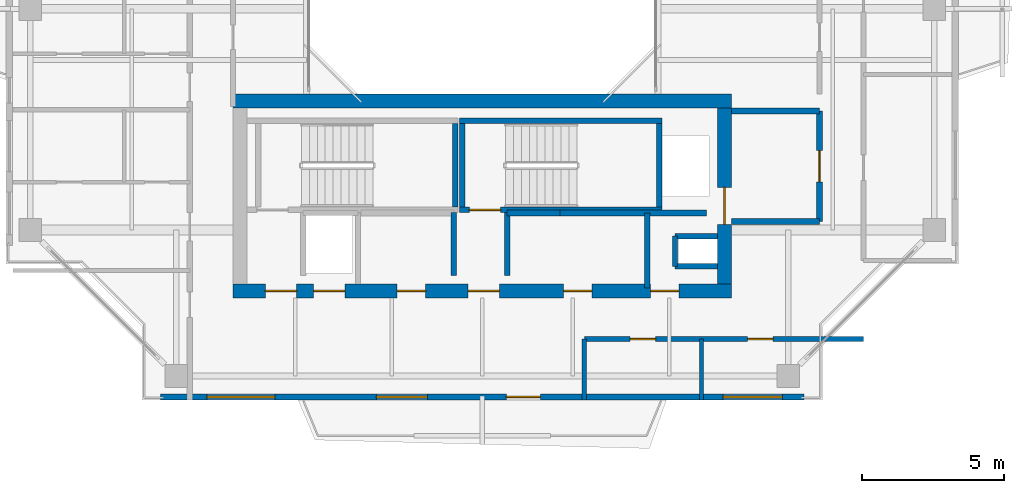
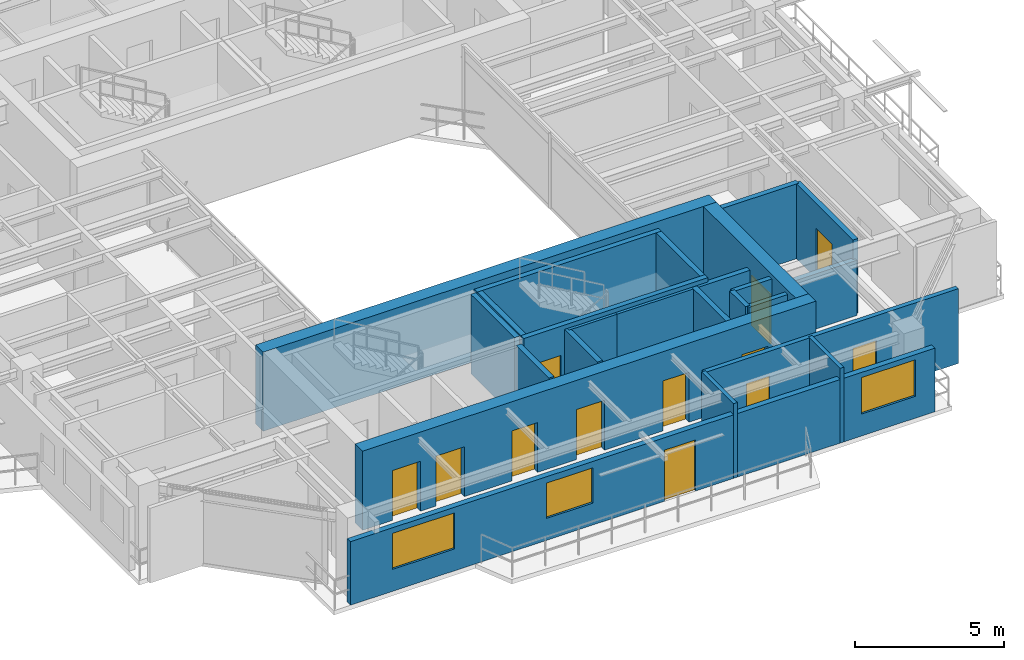
# One storey, part 10 of 16: 23 walls, 12 doors, 3 windows, 15 openings.
"""IFC4 building model written with IfcOpenShell, lengths in metres."""

from ifc_helpers import new_model, si_unit, direction, frame, frame_2d, origin, place, context, subcontext, project, spatial, rectangle, extrude, source, transform, mapped, material, layer, layer_set, type_object, element, fill, save


model = new_model("IFC4")

# Units and contexts
model_context = context("Model", 3, precision=1e-05, world=origin(), true_north=direction((0.0, 1.0)))
body_context = subcontext(model_context, "Body", "Model", "MODEL_VIEW")
ifc_project = project(units=[si_unit("LENGTHUNIT", "METRE"), si_unit("AREAUNIT", "SQUARE_METRE"), si_unit("VOLUMEUNIT", "CUBIC_METRE"), si_unit("PLANEANGLEUNIT", "RADIAN"), si_unit("MASSUNIT", "GRAM", prefix="KILO"), si_unit("THERMODYNAMICTEMPERATUREUNIT", "KELVIN"), si_unit("POWERUNIT", "WATT")], contexts=[model_context])

# Site, building, storey
site_placement = place(None, origin())
site = spatial("IfcSite", under=ifc_project, at=site_placement, CompositionType="ELEMENT")
building_placement = place(site_placement, origin())
building = spatial("IfcBuilding", under=site, at=building_placement, Name="Qiaomeng Ring Towers", CompositionType="ELEMENT")
storey_placement = place(building_placement, frame((0.0, 0.0, 216.5)))
storey = spatial("IfcBuildingStorey", under=building, at=storey_placement, Name="L63", CompositionType="ELEMENT", Elevation=216.5)

# Wall, openings, windows, door
ifc_material_1 = material(Name="Precast concrete C40", Category="concrete")
ifc_layer_1 = layer(ifc_material_1, 0.219970703125, Name="Precast concrete C40")
ifc_layer_set_1 = layer_set([ifc_layer_1], Name="Precast concrete C40")
wall_type_1 = type_object("IfcWallType", Name="ARC-WL-EW2", PredefinedType="STANDARD", material=ifc_layer_set_1)
wall_1_placement = place(storey_placement, frame((7.64990234375, 6.31005859375, 0.0), z_axis=(0.0, 0.0, 1.0), x_axis=(1.0, 0.0, 0.0)))
wall_1 = element("IfcWall", 1, at=wall_1_placement, inside=storey, type_object=wall_type_1, Name="L63 Tower 1 S Exterior Wall", PredefinedType="STANDARD", context=body_context, shape_type="SweptSolid", body=[
    extrude(rectangle(XDim=22.7001953125, YDim=0.219970703125, at=frame_2d((11.35009765625, 0.0))), origin(), (0.0, 0.0, 1.0), 2.610107421875),
])
opening_1_placement = place(wall_1_placement, frame((12.199951171875, 0.0, 0.0)))
opening_1 = element("IfcOpeningElement", 2, at=opening_1_placement, cuts=wall_1, Name="Opening BD1", PredefinedType="OPENING", context=body_context, shape_type="SweptSolid", body=[
    extrude(rectangle(XDim=1.199951171875, YDim=2.10009765625, at=frame_2d((0.60009765625, 1.050048828125))), frame((0.0, 0.119873046875, 0.0), z_axis=(0.0, -1.0, 0.0), x_axis=(1.0, 0.0, 0.0)), (0.0, 0.0, 1.0), 0.239990234375),
])
opening_2_placement = place(wall_1_placement, frame((1.636962890625, 0.0, 0.89990234375)))
opening_2 = element("IfcOpeningElement", 3, at=opening_2_placement, cuts=wall_1, Name="Opening WN6", PredefinedType="OPENING", context=body_context, shape_type="SweptSolid", body=[
    extrude(rectangle(XDim=2.39990234375, YDim=1.47998046875, at=frame_2d((1.199951171875, 0.739990234375))), frame((0.0, 0.119873046875, 0.0), z_axis=(0.0, -1.0, 0.0), x_axis=(1.0, 0.0, 0.0)), (0.0, 0.0, 1.0), 0.239990234375),
])
opening_3_placement = place(wall_1_placement, frame((7.612060546875, 0.0, 0.89990234375)))
opening_3 = element("IfcOpeningElement", 4, at=opening_3_placement, cuts=wall_1, Name="Opening WN1", PredefinedType="OPENING", context=body_context, shape_type="SweptSolid", body=[
    extrude(rectangle(XDim=1.800048828125, YDim=1.449951171875, at=frame_2d((0.89990234375, 0.72509765625))), frame((0.0, 0.119873046875, 0.0), z_axis=(0.0, -1.0, 0.0), x_axis=(1.0, 0.0, 0.0)), (0.0, 0.0, 1.0), 0.239990234375),
])
opening_4_placement = place(wall_1_placement, frame((19.83740234375, 0.0, 0.89990234375)))
opening_4 = element("IfcOpeningElement", 5, at=opening_4_placement, cuts=wall_1, Name="Opening WN4", PredefinedType="OPENING", context=body_context, shape_type="SweptSolid", body=[
    extrude(rectangle(XDim=2.10009765625, YDim=1.5, at=frame_2d((1.050048828125, 0.75))), frame((0.0, 0.119873046875, 0.0), z_axis=(0.0, -1.0, 0.0), x_axis=(1.0, 0.0, 0.0)), (0.0, 0.0, 1.0), 0.239990234375),
])
ifc_material_2 = material(Name="Low-E dark-grey laminated double glazing", Category="glass")
window_type_1 = type_object("IfcWindowType", Name="ARC-WN-4", PartitioningType="TRIPLE_PANEL_VERTICAL", PredefinedType="WINDOW", material=ifc_material_2)
shared_shape_1 = source(origin(), body_context, "Body", "SweptSolid", [
    extrude(rectangle(XDim=2.10009765625, YDim=1.5, at=frame_2d((1.050048828125, 0.75))), frame((0.0, 0.030029296875, 0.0), z_axis=(0.0, -1.0, 0.0), x_axis=(1.0, 0.0, 0.0)), (0.0, 0.0, 1.0), 0.06005859375),
])
window_1_placement = place(opening_4_placement, origin())
window_1 = element("IfcWindow", 6, at=window_1_placement, inside=storey, type_object=window_type_1, Name="L63 Exterior Window WN4", OverallHeight=1.5, OverallWidth=2.10009765625, PartitioningType="TRIPLE_PANEL_VERTICAL", PredefinedType="WINDOW", context=body_context, shape_type="MappedRepresentation", body=[
    mapped(shared_shape_1, transform((0.0, 0.0, 0.0), x_axis=(1.0, 0.0, 0.0), y_axis=(0.0, 1.0, 0.0), z_axis=(0.0, 0.0, 1.0), scale=1.0)),
])
fill(opening_4, window_1)
window_type_2 = type_object("IfcWindowType", Name="ARC-WN-1", PartitioningType="DOUBLE_PANEL_VERTICAL", PredefinedType="WINDOW", material=ifc_material_2)
shared_shape_2 = source(origin(), body_context, "Body", "SweptSolid", [
    extrude(rectangle(XDim=1.800048828125, YDim=1.449951171875, at=frame_2d((0.89990234375, 0.72509765625))), frame((0.0, 0.030029296875, 0.0), z_axis=(0.0, -1.0, 0.0), x_axis=(1.0, 0.0, 0.0)), (0.0, 0.0, 1.0), 0.06005859375),
])
window_2_placement = place(opening_3_placement, origin())
window_2 = element("IfcWindow", 7, at=window_2_placement, inside=storey, type_object=window_type_2, Name="L63 Exterior Window WN1", OverallHeight=1.449951171875, OverallWidth=1.800048828125, PartitioningType="DOUBLE_PANEL_VERTICAL", PredefinedType="WINDOW", context=body_context, shape_type="MappedRepresentation", body=[
    mapped(shared_shape_2, transform((0.0, 0.0, 0.0), x_axis=(1.0, 0.0, 0.0), y_axis=(0.0, 1.0, 0.0), z_axis=(0.0, 0.0, 1.0), scale=1.0)),
])
fill(opening_3, window_2)
window_type_3 = type_object("IfcWindowType", Name="ARC-WN-6", PartitioningType="TRIPLE_PANEL_VERTICAL", PredefinedType="WINDOW", material=ifc_material_2)
shared_shape_3 = source(origin(), body_context, "Body", "SweptSolid", [
    extrude(rectangle(XDim=2.39990234375, YDim=1.47998046875, at=frame_2d((1.199951171875, 0.739990234375))), frame((0.0, 0.030029296875, 0.0), z_axis=(0.0, -1.0, 0.0), x_axis=(1.0, 0.0, 0.0)), (0.0, 0.0, 1.0), 0.06005859375),
])
window_3_placement = place(opening_2_placement, origin())
window_3 = element("IfcWindow", 8, at=window_3_placement, inside=storey, type_object=window_type_3, Name="L63 Exterior Window WN6", OverallHeight=1.47998046875, OverallWidth=2.39990234375, PartitioningType="TRIPLE_PANEL_VERTICAL", PredefinedType="WINDOW", context=body_context, shape_type="MappedRepresentation", body=[
    mapped(shared_shape_3, transform((0.0, 0.0, 0.0), x_axis=(1.0, 0.0, 0.0), y_axis=(0.0, 1.0, 0.0), z_axis=(0.0, 0.0, 1.0), scale=1.0)),
])
fill(opening_2, window_3)
door_type_1 = type_object("IfcDoorType", Name="ARC-DR-BD1", OperationType="NOTDEFINED", PredefinedType="DOOR", material=ifc_material_2)
shared_shape_4 = source(origin(), body_context, "Body", "SweptSolid", [
    extrude(rectangle(XDim=1.199951171875, YDim=2.10009765625, at=frame_2d((0.60009765625, 1.050048828125))), frame((0.0, 0.02490234375, 0.0), z_axis=(0.0, -1.0, 0.0), x_axis=(1.0, 0.0, 0.0)), (0.0, 0.0, 1.0), 0.050048828125),
])
door_1_placement = place(opening_1_placement, frame((1.199951171875, 0.0, 0.0), z_axis=(0.0, 0.0, 1.0), x_axis=(-1.0, 0.0, 0.0)))
door_1 = element("IfcDoor", 9, at=door_1_placement, inside=storey, type_object=door_type_1, Name="L63 S Balcony Glazed Door", OperationType="SINGLE_SWING_LEFT", OverallHeight=2.10009765625, OverallWidth=1.199951171875, PredefinedType="DOOR", context=body_context, shape_type="MappedRepresentation", body=[
    mapped(shared_shape_4, transform((0.0, 0.0, 0.0), x_axis=(1.0, 0.0, 0.0), y_axis=(0.0, 1.0, 0.0), z_axis=(0.0, 0.0, 1.0), scale=1.0)),
])
fill(opening_1, door_1)

# Walls
ifc_material_3 = material(Name="Autoclaved aerated concrete block", Category="concrete")
ifc_layer_2 = layer(ifc_material_3, 0.199951171875, Name="Autoclaved aerated concrete block")
ifc_layer_set_2 = layer_set([ifc_layer_2], Name="Autoclaved aerated concrete block")
wall_type_2 = type_object("IfcWallType", Name="ARC-WL-PW1", PredefinedType="PARTITIONING", material=ifc_layer_set_2)
wall_2_placement = place(storey_placement, frame((27.800048828125, 16.39990234375, 0.0), z_axis=(0.0, 0.0, 1.0), x_axis=(1.0, 0.0, 0.0)))
element("IfcWall", 10, at=wall_2_placement, inside=storey, type_object=wall_type_2, Name="L63 Interior Wall PW1", PredefinedType="PARTITIONING", context=body_context, shape_type="SweptSolid", body=[
    extrude(rectangle(XDim=3.099853515625, YDim=0.199951171875, at=frame_2d((1.5498046875, 0.0))), origin(), (0.0, 0.0, 1.0), 3.070068359375),
])
wall_3_placement = place(storey_placement, frame((27.800048828125, 12.5, 0.0), z_axis=(0.0, 0.0, 1.0), x_axis=(1.0, 0.0, 0.0)))
element("IfcWall", 11, at=wall_3_placement, inside=storey, type_object=wall_type_2, Name="L63 Interior Wall PW1", PredefinedType="PARTITIONING", context=body_context, shape_type="SweptSolid", body=[
    extrude(rectangle(XDim=3.099853515625, YDim=0.199951171875, at=frame_2d((1.5498046875, 0.0))), origin(), (0.0, 0.0, 1.0), 2.264892578125),
])

# Wall, opening, door
wall_4_placement = place(storey_placement, frame((30.89990234375, 12.5, 0.0), z_axis=(0.0, 0.0, 1.0), x_axis=(0.0, 1.0, 0.0)))
wall_4 = element("IfcWall", 12, at=wall_4_placement, inside=storey, type_object=wall_type_2, Name="L63 Interior Wall PW1", PredefinedType="PARTITIONING", context=body_context, shape_type="SweptSolid", body=[
    extrude(rectangle(XDim=3.89990234375, YDim=0.199951171875, at=frame_2d((1.949951171875, 0.0))), origin(), (0.0, 0.0, 1.0), 3.070068359375),
])
opening_5_placement = place(wall_4_placement, frame((1.39990234375, 0.0, 0.0)))
opening_5 = element("IfcOpeningElement", 13, at=opening_5_placement, cuts=wall_4, Name="Opening FD3", PredefinedType="OPENING", context=body_context, shape_type="SweptSolid", body=[
    extrude(rectangle(XDim=1.10009765625, YDim=2.050048828125, at=frame_2d((0.550048828125, 1.02490234375))), frame((0.0, 0.10986328125, 0.0), z_axis=(0.0, -1.0, 0.0), x_axis=(1.0, 0.0, 0.0)), (0.0, 0.0, 1.0), 0.219970703125),
])
ifc_material_4 = material(Name="Galvanised steel", Category="steel")
door_type_2 = type_object("IfcDoorType", Name="ARC-DR-FD3", OperationType="NOTDEFINED", PredefinedType="DOOR", material=ifc_material_4)
shared_shape_5 = source(origin(), body_context, "Body", "SweptSolid", [
    extrude(rectangle(XDim=1.10009765625, YDim=2.050048828125, at=frame_2d((0.550048828125, 1.02490234375))), frame((0.0, 0.02490234375, 0.0), z_axis=(0.0, -1.0, 0.0), x_axis=(1.0, 0.0, 0.0)), (0.0, 0.0, 1.0), 0.050048828125),
])
door_2_placement = place(opening_5_placement, origin())
door_2 = element("IfcDoor", 14, at=door_2_placement, inside=storey, type_object=door_type_2, Name="L63 South FF Lobby Door", OperationType="SINGLE_SWING_RIGHT", OverallHeight=2.050048828125, OverallWidth=1.10009765625, PredefinedType="DOOR", context=body_context, shape_type="MappedRepresentation", body=[
    mapped(shared_shape_5, transform((0.0, 0.0, 0.0), x_axis=(1.0, 0.0, 0.0), y_axis=(0.0, 1.0, 0.0), z_axis=(0.0, 0.0, 1.0), scale=1.0)),
])
fill(opening_5, door_2)

# Walls
for number, where, z_axis, x_axis, name in (
    (15, (18.0, 10.60009765625, 0.0), (0.0, 0.0, 1.0), (0.0, 1.0, 0.0), "L63 Interior Wall PW1"),
    (16, (19.8798828125, 10.60009765625, 0.0), (0.0, 0.0, 1.0), (0.0, 1.0, 0.0), "L63 Interior Wall PW1"),
):
    element("IfcWall", number, at=place(storey_placement, frame(where, z_axis=z_axis, x_axis=x_axis)), inside=storey, type_object=wall_type_2, Name=name, PredefinedType="PARTITIONING", context=body_context, shape_type="SweptSolid", body=[
        extrude(rectangle(XDim=2.2099609375, YDim=0.199951171875, at=frame_2d((1.10498046875, 0.0))), origin(), (0.0, 0.0, 1.0), 3.070068359375),
    ])
wall_5_placement = place(storey_placement, frame((24.820068359375, 10.14990234375, 0.0), z_axis=(0.0, 0.0, 1.0), x_axis=(0.0, 1.0, 0.0)))
element("IfcWall", 17, at=wall_5_placement, inside=storey, type_object=wall_type_2, Name="L63 Interior Wall PW1", PredefinedType="PARTITIONING", context=body_context, shape_type="SweptSolid", body=[
    extrude(rectangle(XDim=2.650146484375, YDim=0.199951171875, at=frame_2d((1.3251953125, 0.0))), origin(), (0.0, 0.0, 1.0), 3.070068359375),
])
wall_6_placement = place(storey_placement, frame((19.8798828125, 12.800048828125, 0.0), z_axis=(0.0, 0.0, 1.0), x_axis=(1.0, 0.0, 0.0)))
element("IfcWall", 18, at=wall_6_placement, inside=storey, type_object=wall_type_2, Name="L63 Interior Wall PW1", PredefinedType="PARTITIONING", context=body_context, shape_type="SweptSolid", body=[
    extrude(rectangle(XDim=1.8701171875, YDim=0.199951171875, at=frame_2d((0.93505859375, 0.0))), origin(), (0.0, 0.0, 1.0), 3.070068359375),
])
wall_7_placement = place(storey_placement, frame((21.75, 12.800048828125, 0.0), z_axis=(0.0, 0.0, 1.0), x_axis=(1.0, 0.0, 0.0)))
element("IfcWall", 19, at=wall_7_placement, inside=storey, type_object=wall_type_2, Name="L63 Interior Wall PW1", PredefinedType="PARTITIONING", context=body_context, shape_type="SweptSolid", body=[
    extrude(rectangle(XDim=5.169921875, YDim=0.199951171875, at=frame_2d((2.5849609375, 0.0))), origin(), (0.0, 0.0, 1.0), 3.070068359375),
])

# Wall, openings, doors
ifc_layer_3 = layer(ifc_material_3, 0.179931640625, Name="Autoclaved aerated concrete block")
ifc_layer_set_3 = layer_set([ifc_layer_3], Name="Autoclaved aerated concrete block")
wall_type_3 = type_object("IfcWallType", Name="ARC-WL-PW2", PredefinedType="PARTITIONING", material=ifc_layer_set_3)
wall_8_placement = place(storey_placement, frame((22.60009765625, 8.35009765625, 0.0), z_axis=(0.0, 0.0, 1.0), x_axis=(1.0, 0.0, 0.0)))
wall_8 = element("IfcWall", 20, at=wall_8_placement, inside=storey, type_object=wall_type_3, Name="L63 Interior Wall PW2", PredefinedType="PARTITIONING", context=body_context, shape_type="SweptSolid", body=[
    extrude(rectangle(XDim=9.849853515625, YDim=0.179931640625, at=frame_2d((4.9248046875, 0.0))), origin(), (0.0, 0.0, 1.0), 3.070068359375),
])
opening_6_placement = place(wall_8_placement, frame((1.6201171875, 0.0, 0.0)))
opening_6 = element("IfcOpeningElement", 21, at=opening_6_placement, cuts=wall_8, Name="Opening ID1", PredefinedType="OPENING", context=body_context, shape_type="SweptSolid", body=[
    extrude(rectangle(XDim=0.89990234375, YDim=2.050048828125, at=frame_2d((0.449951171875, 1.02490234375))), frame((0.0, 0.099853515625, 0.0), z_axis=(0.0, -1.0, 0.0), x_axis=(1.0, 0.0, 0.0)), (0.0, 0.0, 1.0), 0.199951171875),
])
opening_7_placement = place(wall_8_placement, frame((5.760009765625, 0.0, 0.0)))
opening_7 = element("IfcOpeningElement", 22, at=opening_7_placement, cuts=wall_8, Name="Opening ID1", PredefinedType="OPENING", context=body_context, shape_type="SweptSolid", body=[
    extrude(rectangle(XDim=0.89990234375, YDim=2.050048828125, at=frame_2d((0.449951171875, 1.02490234375))), frame((0.0, 0.099853515625, 0.0), z_axis=(0.0, -1.0, 0.0), x_axis=(1.0, 0.0, 0.0)), (0.0, 0.0, 1.0), 0.199951171875),
])
ifc_material_5 = material(Name="Engineered oak timber", Category="wood")
door_type_3 = type_object("IfcDoorType", Name="ARC-DR-ID1", OperationType="NOTDEFINED", PredefinedType="DOOR", material=ifc_material_5)
shared_shape_6 = source(origin(), body_context, "Body", "SweptSolid", [
    extrude(rectangle(XDim=0.89990234375, YDim=2.050048828125, at=frame_2d((0.449951171875, 1.02490234375))), frame((0.0, 0.02490234375, 0.0), z_axis=(0.0, -1.0, 0.0), x_axis=(1.0, 0.0, 0.0)), (0.0, 0.0, 1.0), 0.050048828125),
])
door_3_placement = place(opening_6_placement, origin())
door_3 = element("IfcDoor", 23, at=door_3_placement, inside=storey, type_object=door_type_3, Name="L63 Door ID1", OperationType="SINGLE_SWING_RIGHT", OverallHeight=2.050048828125, OverallWidth=0.89990234375, PredefinedType="DOOR", context=body_context, shape_type="MappedRepresentation", body=[
    mapped(shared_shape_6, transform((0.0, 0.0, 0.0), x_axis=(1.0, 0.0, 0.0), y_axis=(0.0, 1.0, 0.0), z_axis=(0.0, 0.0, 1.0), scale=1.0)),
])
fill(opening_6, door_3)
door_4_placement = place(opening_7_placement, origin())
door_4 = element("IfcDoor", 24, at=door_4_placement, inside=storey, type_object=door_type_3, Name="L63 Door ID1", OperationType="SINGLE_SWING_LEFT", OverallHeight=2.050048828125, OverallWidth=0.89990234375, PredefinedType="DOOR", context=body_context, shape_type="MappedRepresentation", body=[
    mapped(shared_shape_6, transform((0.0, 0.0, 0.0), x_axis=(1.0, 0.0, 0.0), y_axis=(0.0, 1.0, 0.0), z_axis=(0.0, 0.0, 1.0), scale=1.0)),
])
fill(opening_7, door_4)

# Walls
ifc_material_6 = material(Name="Gypsum fireboard steel-stud partition", Category="steel")
ifc_layer_4 = layer(ifc_material_6, 0.14990234375, Name="Gypsum fireboard steel-stud partition")
ifc_layer_set_4 = layer_set([ifc_layer_4], Name="Gypsum fireboard steel-stud partition")
wall_type_4 = type_object("IfcWallType", Name="ARC-WL-PW3", PredefinedType="PARTITIONING", material=ifc_layer_set_4)
for number, where, z_axis, x_axis, name in (
    (25, (22.60009765625, 6.199951171875, 0.0), (0.0, 0.0, 1.0), (0.0, 1.0, 0.0), "L63 Interior Wall PW3"),
    (26, (26.739990234375, 6.199951171875, 0.0), (0.0, 0.0, 1.0), (0.0, 1.0, 0.0), "L63 Interior Wall PW3"),
):
    element("IfcWall", number, at=place(storey_placement, frame(where, z_axis=z_axis, x_axis=x_axis)), inside=storey, type_object=wall_type_4, Name=name, PredefinedType="PARTITIONING", context=body_context, shape_type="SweptSolid", body=[
        extrude(rectangle(XDim=2.150146484375, YDim=0.14990234375, at=frame_2d((1.0751953125, 0.0))), origin(), (0.0, 0.0, 1.0), 3.070068359375),
    ])
ifc_material_7 = material(Name="Concrete C40", Category="concrete")
ifc_layer_5 = layer(ifc_material_7, 0.199951171875, Name="Concrete C40")
ifc_layer_set_5 = layer_set([ifc_layer_5], Name="Concrete C40")
wall_type_5 = type_object("IfcWallType", Name="STR-WL-STSHAFT", PredefinedType="SHEAR", material=ifc_layer_set_5)
wall_9_placement = place(storey_placement, frame((25.800048828125, 10.919921875, 0.0), z_axis=(0.0, 0.0, 1.0), x_axis=(0.0, 1.0, 0.0)))
element("IfcWall", 27, at=wall_9_placement, inside=storey, type_object=wall_type_5, Name="L63 Riser RSR1 West Shaft Wall S", PredefinedType="SHEAR", context=body_context, shape_type="SweptSolid", body=[
    extrude(rectangle(XDim=1.06005859375, YDim=0.179931640625, at=frame_2d((0.530029296875, 0.0))), origin(), (0.0, 0.0, 1.0), 3.070068359375),
])
for number, where, z_axis, x_axis, name in (
    (28, (25.800048828125, 11.97998046875, 0.0), (0.0, 0.0, 1.0), (1.0, 0.0, 0.0), "L63 Riser RSR1 North Shaft Wall S"),
    (29, (25.800048828125, 10.919921875, 0.0), (0.0, 0.0, 1.0), (1.0, 0.0, 0.0), "L63 Riser RSR1 South Shaft Wall S"),
):
    element("IfcWall", number, at=place(storey_placement, frame(where, z_axis=z_axis, x_axis=x_axis)), inside=storey, type_object=wall_type_5, Name=name, PredefinedType="SHEAR", context=body_context, shape_type="SweptSolid", body=[
        extrude(rectangle(XDim=1.5, YDim=0.179931640625, at=frame_2d((0.75, 0.0))), origin(), (0.0, 0.0, 1.0), 3.070068359375),
    ])
wall_10_placement = place(storey_placement, frame((18.050048828125, 13.010009765625, 0.0), z_axis=(0.0, 0.0, 1.0), x_axis=(0.0, 1.0, 0.0)))
element("IfcWall", 30, at=wall_10_placement, inside=storey, type_object=wall_type_5, Name="L63 Stair ST3 East Shaft Shear Wall", PredefinedType="SHEAR", context=body_context, shape_type="SweptSolid", body=[
    extrude(rectangle(XDim=2.93994140625, YDim=0.199951171875, at=frame_2d((1.469970703125, 0.0))), origin(), (0.0, 0.0, 1.0), 3.25),
])

# Wall, opening, door
wall_11_placement = place(storey_placement, frame((18.199951171875, 12.909912109375, 0.0), z_axis=(0.0, 0.0, 1.0), x_axis=(1.0, 0.0, 0.0)))
wall_11 = element("IfcWall", 31, at=wall_11_placement, inside=storey, type_object=wall_type_5, Name="L63 Stair ST4 South Shaft Shear Wall", PredefinedType="SHEAR", context=body_context, shape_type="SweptSolid", body=[
    extrude(rectangle(XDim=7.150146484375, YDim=0.199951171875, at=frame_2d((3.5751953125, 0.0))), origin(), (0.0, 0.0, 1.0), 3.25),
])
opening_8_placement = place(wall_11_placement, frame((0.35009765625, 0.0, 0.0)))
opening_8 = element("IfcOpeningElement", 32, at=opening_8_placement, cuts=wall_11, Name="Opening FD3", PredefinedType="OPENING", context=body_context, shape_type="SweptSolid", body=[
    extrude(rectangle(XDim=1.10009765625, YDim=2.050048828125, at=frame_2d((0.550048828125, 1.02490234375))), frame((0.0, 0.10986328125, 0.0), z_axis=(0.0, -1.0, 0.0), x_axis=(1.0, 0.0, 0.0)), (0.0, 0.0, 1.0), 0.219970703125),
])
door_5_placement = place(opening_8_placement, frame((1.10009765625, 0.0, 0.0), z_axis=(0.0, 0.0, 1.0), x_axis=(-1.0, 0.0, 0.0)))
door_5 = element("IfcDoor", 33, at=door_5_placement, inside=storey, type_object=door_type_2, Name="L63 Stair ST4 Exit Door", OperationType="SINGLE_SWING_RIGHT", OverallHeight=2.050048828125, OverallWidth=1.10009765625, PredefinedType="DOOR", context=body_context, shape_type="MappedRepresentation", body=[
    mapped(shared_shape_5, transform((0.0, 0.0, 0.0), x_axis=(1.0, 0.0, 0.0), y_axis=(0.0, 1.0, 0.0), z_axis=(0.0, 0.0, 1.0), scale=1.0)),
])
fill(opening_8, door_5)

# Walls
wall_12_placement = place(storey_placement, frame((18.199951171875, 16.050048828125, 0.0), z_axis=(0.0, 0.0, 1.0), x_axis=(1.0, 0.0, 0.0)))
element("IfcWall", 34, at=wall_12_placement, inside=storey, type_object=wall_type_5, Name="L63 Stair ST4 North Shaft Shear Wall", PredefinedType="SHEAR", context=body_context, shape_type="SweptSolid", body=[
    extrude(rectangle(XDim=7.150146484375, YDim=0.199951171875, at=frame_2d((3.5751953125, 0.0))), origin(), (0.0, 0.0, 1.0), 3.25),
])
for number, where, z_axis, x_axis, name in (
    (35, (18.300048828125, 13.010009765625, 0.0), (0.0, 0.0, 1.0), (0.0, 1.0, 0.0), "L63 Stair ST4 West Shaft Shear Wall"),
    (36, (25.25, 13.010009765625, 0.0), (0.0, 0.0, 1.0), (0.0, 1.0, 0.0), "L63 Stair ST4 East Shaft Shear Wall"),
):
    element("IfcWall", number, at=place(storey_placement, frame(where, z_axis=z_axis, x_axis=x_axis)), inside=storey, type_object=wall_type_5, Name=name, PredefinedType="SHEAR", context=body_context, shape_type="SweptSolid", body=[
        extrude(rectangle(XDim=2.93994140625, YDim=0.199951171875, at=frame_2d((1.469970703125, 0.0))), origin(), (0.0, 0.0, 1.0), 3.25),
    ])

# Wall, openings, doors
ifc_layer_6 = layer(ifc_material_7, 0.5, Name="Concrete C40")
ifc_layer_set_6 = layer_set([ifc_layer_6], Name="Concrete C40")
wall_type_6 = type_object("IfcWallType", Name="STR-WL-SW3", PredefinedType="SHEAR", material=ifc_layer_set_6)
wall_13_placement = place(storey_placement, frame((10.199951171875, 10.050048828125, 0.0), z_axis=(0.0, 0.0, 1.0), x_axis=(1.0, 0.0, 0.0)))
wall_13 = element("IfcWall", 37, at=wall_13_placement, inside=storey, type_object=wall_type_6, Name="L63 T1SC south core shear wall", PredefinedType="SHEAR", context=body_context, shape_type="SweptSolid", body=[
    extrude(rectangle(XDim=17.60009765625, YDim=0.5, at=frame_2d((8.800048828125, 0.0))), origin(), (0.0, 0.0, 1.0), 3.25),
])
opening_9_placement = place(wall_13_placement, frame((1.14990234375, 0.0, 0.0)))
opening_9 = element("IfcOpeningElement", 38, at=opening_9_placement, cuts=wall_13, Name="Opening FD3", PredefinedType="OPENING", context=body_context, shape_type="SweptSolid", body=[
    extrude(rectangle(XDim=1.10009765625, YDim=2.050048828125, at=frame_2d((0.550048828125, 1.02490234375))), frame((0.0, 0.260009765625, 0.0), z_axis=(0.0, -1.0, 0.0), x_axis=(1.0, 0.0, 0.0)), (0.0, 0.0, 1.0), 0.52001953125),
])
opening_10_placement = place(wall_13_placement, frame((8.300048828125, 0.0, 0.0)))
opening_10 = element("IfcOpeningElement", 39, at=opening_10_placement, cuts=wall_13, Name="Opening FD3", PredefinedType="OPENING", context=body_context, shape_type="SweptSolid", body=[
    extrude(rectangle(XDim=1.10009765625, YDim=2.050048828125, at=frame_2d((0.550048828125, 1.02490234375))), frame((0.0, 0.260009765625, 0.0), z_axis=(0.0, -1.0, 0.0), x_axis=(1.0, 0.0, 0.0)), (0.0, 0.0, 1.0), 0.52001953125),
])
opening_11_placement = place(wall_13_placement, frame((2.85009765625, 0.0, 0.0)))
opening_11 = element("IfcOpeningElement", 40, at=opening_11_placement, cuts=wall_13, Name="Opening LD1", PredefinedType="OPENING", context=body_context, shape_type="SweptSolid", body=[
    extrude(rectangle(XDim=1.10009765625, YDim=2.050048828125, at=frame_2d((0.550048828125, 1.02490234375))), frame((0.0, 0.260009765625, 0.0), z_axis=(0.0, -1.0, 0.0), x_axis=(1.0, 0.0, 0.0)), (0.0, 0.0, 1.0), 0.52001953125),
])
opening_12_placement = place(wall_13_placement, frame((5.800048828125, 0.0, 0.0)))
opening_12 = element("IfcOpeningElement", 41, at=opening_12_placement, cuts=wall_13, Name="Opening FD1", PredefinedType="OPENING", context=body_context, shape_type="SweptSolid", body=[
    extrude(rectangle(XDim=1.0, YDim=2.050048828125, at=frame_2d((0.5, 1.02490234375))), frame((0.0, 0.260009765625, 0.0), z_axis=(0.0, -1.0, 0.0), x_axis=(1.0, 0.0, 0.0)), (0.0, 0.0, 1.0), 0.52001953125),
])
opening_13_placement = place(wall_13_placement, frame((14.739990234375, 0.0, 0.0)))
opening_13 = element("IfcOpeningElement", 42, at=opening_13_placement, cuts=wall_13, Name="Opening FD1", PredefinedType="OPENING", context=body_context, shape_type="SweptSolid", body=[
    extrude(rectangle(XDim=1.0, YDim=2.050048828125, at=frame_2d((0.5, 1.02490234375))), frame((0.0, 0.260009765625, 0.0), z_axis=(0.0, -1.0, 0.0), x_axis=(1.0, 0.0, 0.0)), (0.0, 0.0, 1.0), 0.52001953125),
])
opening_14_placement = place(wall_13_placement, frame((11.669921875, 0.0, 0.0)))
opening_14 = element("IfcOpeningElement", 43, at=opening_14_placement, cuts=wall_13, Name="Opening FD1", PredefinedType="OPENING", context=body_context, shape_type="SweptSolid", body=[
    extrude(rectangle(XDim=1.0, YDim=2.050048828125, at=frame_2d((0.5, 1.02490234375))), frame((0.0, 0.260009765625, 0.0), z_axis=(0.0, -1.0, 0.0), x_axis=(1.0, 0.0, 0.0)), (0.0, 0.0, 1.0), 0.52001953125),
])
door_6_placement = place(opening_9_placement, origin())
door_6 = element("IfcDoor", 44, at=door_6_placement, inside=storey, type_object=door_type_2, Name="L63 Stair ST3 Lobby Door", OperationType="SINGLE_SWING_LEFT", OverallHeight=2.050048828125, OverallWidth=1.10009765625, PredefinedType="DOOR", context=body_context, shape_type="MappedRepresentation", body=[
    mapped(shared_shape_5, transform((0.0, 0.0, 0.0), x_axis=(1.0, 0.0, 0.0), y_axis=(0.0, 1.0, 0.0), z_axis=(0.0, 0.0, 1.0), scale=1.0)),
])
fill(opening_9, door_6)
door_7_placement = place(opening_10_placement, origin())
door_7 = element("IfcDoor", 45, at=door_7_placement, inside=storey, type_object=door_type_2, Name="L63 Stair ST4 Lobby Door", OperationType="SINGLE_SWING_LEFT", OverallHeight=2.050048828125, OverallWidth=1.10009765625, PredefinedType="DOOR", context=body_context, shape_type="MappedRepresentation", body=[
    mapped(shared_shape_5, transform((0.0, 0.0, 0.0), x_axis=(1.0, 0.0, 0.0), y_axis=(0.0, 1.0, 0.0), z_axis=(0.0, 0.0, 1.0), scale=1.0)),
])
fill(opening_10, door_7)
ifc_material_8 = material(Name="Stainless steel 316", Category="steel")
door_type_4 = type_object("IfcDoorType", Name="ARC-DR-LD1", OperationType="NOTDEFINED", PredefinedType="DOOR", material=ifc_material_8)
door_8_placement = place(opening_11_placement, origin())
door_8 = element("IfcDoor", 46, at=door_8_placement, inside=storey, type_object=door_type_4, Name="L63 High-Zone Lift LP6 Landing Door", OperationType="SLIDING_TO_RIGHT", OverallHeight=2.050048828125, OverallWidth=1.10009765625, PredefinedType="DOOR", context=body_context, shape_type="MappedRepresentation", body=[
    mapped(shared_shape_5, transform((0.0, 0.0, 0.0), x_axis=(1.0, 0.0, 0.0), y_axis=(0.0, 1.0, 0.0), z_axis=(0.0, 0.0, 1.0), scale=1.0)),
])
fill(opening_11, door_8)
door_type_5 = type_object("IfcDoorType", Name="ARC-DR-FD1", OperationType="NOTDEFINED", PredefinedType="DOOR", material=ifc_material_4)
shared_shape_7 = source(origin(), body_context, "Body", "SweptSolid", [
    extrude(rectangle(XDim=1.0, YDim=2.050048828125, at=frame_2d((0.5, 1.02490234375))), frame((0.0, 0.02490234375, 0.0), z_axis=(0.0, -1.0, 0.0), x_axis=(1.0, 0.0, 0.0)), (0.0, 0.0, 1.0), 0.050048828125),
])
door_9_placement = place(opening_12_placement, origin())
door_9 = element("IfcDoor", 47, at=door_9_placement, inside=storey, type_object=door_type_5, Name="L63 High-Zone Freed Core Room Door", OperationType="SINGLE_SWING_RIGHT", OverallHeight=2.050048828125, OverallWidth=1.0, PredefinedType="DOOR", context=body_context, shape_type="MappedRepresentation", body=[
    mapped(shared_shape_7, transform((0.0, 0.0, 0.0), x_axis=(1.0, 0.0, 0.0), y_axis=(0.0, 1.0, 0.0), z_axis=(0.0, 0.0, 1.0), scale=1.0)),
])
fill(opening_12, door_9)
door_10_placement = place(opening_13_placement, origin())
door_10 = element("IfcDoor", 48, at=door_10_placement, inside=storey, type_object=door_type_5, Name="L63 South Electrical Riser Door", OperationType="SINGLE_SWING_RIGHT", OverallHeight=2.050048828125, OverallWidth=1.0, PredefinedType="DOOR", context=body_context, shape_type="MappedRepresentation", body=[
    mapped(shared_shape_7, transform((0.0, 0.0, 0.0), x_axis=(1.0, 0.0, 0.0), y_axis=(0.0, 1.0, 0.0), z_axis=(0.0, 0.0, 1.0), scale=1.0)),
])
fill(opening_13, door_10)
door_11_placement = place(opening_14_placement, origin())
door_11 = element("IfcDoor", 49, at=door_11_placement, inside=storey, type_object=door_type_5, Name="L63 South Building Management Office Door", OperationType="SINGLE_SWING_LEFT", OverallHeight=2.050048828125, OverallWidth=1.0, PredefinedType="DOOR", context=body_context, shape_type="MappedRepresentation", body=[
    mapped(shared_shape_7, transform((0.0, 0.0, 0.0), x_axis=(1.0, 0.0, 0.0), y_axis=(0.0, 1.0, 0.0), z_axis=(0.0, 0.0, 1.0), scale=1.0)),
])
fill(opening_14, door_11)

# Wall
wall_14_placement = place(storey_placement, frame((10.199951171875, 16.75, 0.0), z_axis=(0.0, 0.0, 1.0), x_axis=(1.0, 0.0, 0.0)))
element("IfcWall", 50, at=wall_14_placement, inside=storey, type_object=wall_type_6, Name="L63 T1SC north core shear wall", PredefinedType="SHEAR", context=body_context, shape_type="SweptSolid", body=[
    extrude(rectangle(XDim=17.60009765625, YDim=0.5, at=frame_2d((8.800048828125, 0.0))), origin(), (0.0, 0.0, 1.0), 3.25),
])

# Wall, opening, door
wall_15_placement = place(storey_placement, frame((27.550048828125, 10.300048828125, 0.0), z_axis=(0.0, 0.0, 1.0), x_axis=(0.0, 1.0, 0.0)))
wall_15 = element("IfcWall", 51, at=wall_15_placement, inside=storey, type_object=wall_type_6, Name="L63 T1SC east core shear wall", PredefinedType="SHEAR", context=body_context, shape_type="SweptSolid", body=[
    extrude(rectangle(XDim=6.199951171875, YDim=0.5, at=frame_2d((3.10009765625, 0.0))), origin(), (0.0, 0.0, 1.0), 3.25),
])
opening_15_placement = place(wall_15_placement, frame((2.10009765625, 0.0, 0.0)))
opening_15 = element("IfcOpeningElement", 52, at=opening_15_placement, cuts=wall_15, Name="Opening LD2", PredefinedType="OPENING", context=body_context, shape_type="SweptSolid", body=[
    extrude(rectangle(XDim=1.300048828125, YDim=2.050048828125, at=frame_2d((0.64990234375, 1.02490234375))), frame((0.0, 0.260009765625, 0.0), z_axis=(0.0, -1.0, 0.0), x_axis=(1.0, 0.0, 0.0)), (0.0, 0.0, 1.0), 0.52001953125),
])
door_type_6 = type_object("IfcDoorType", Name="ARC-DR-LD2", OperationType="NOTDEFINED", PredefinedType="DOOR", material=ifc_material_8)
shared_shape_8 = source(origin(), body_context, "Body", "SweptSolid", [
    extrude(rectangle(XDim=1.300048828125, YDim=2.050048828125, at=frame_2d((0.64990234375, 1.02490234375))), frame((0.0, 0.02490234375, 0.0), z_axis=(0.0, -1.0, 0.0), x_axis=(1.0, 0.0, 0.0)), (0.0, 0.0, 1.0), 0.050048828125),
])
door_12_placement = place(opening_15_placement, origin())
door_12 = element("IfcDoor", 53, at=door_12_placement, inside=storey, type_object=door_type_6, Name="L63 Firefighting Lift FL2 Landing Door", OperationType="SLIDING_TO_RIGHT", OverallHeight=2.050048828125, OverallWidth=1.300048828125, PredefinedType="DOOR", context=body_context, shape_type="MappedRepresentation", body=[
    mapped(shared_shape_8, transform((0.0, 0.0, 0.0), x_axis=(1.0, 0.0, 0.0), y_axis=(0.0, 1.0, 0.0), z_axis=(0.0, 0.0, 1.0), scale=1.0)),
])
fill(opening_15, door_12)

save(model, "model.ifc")
